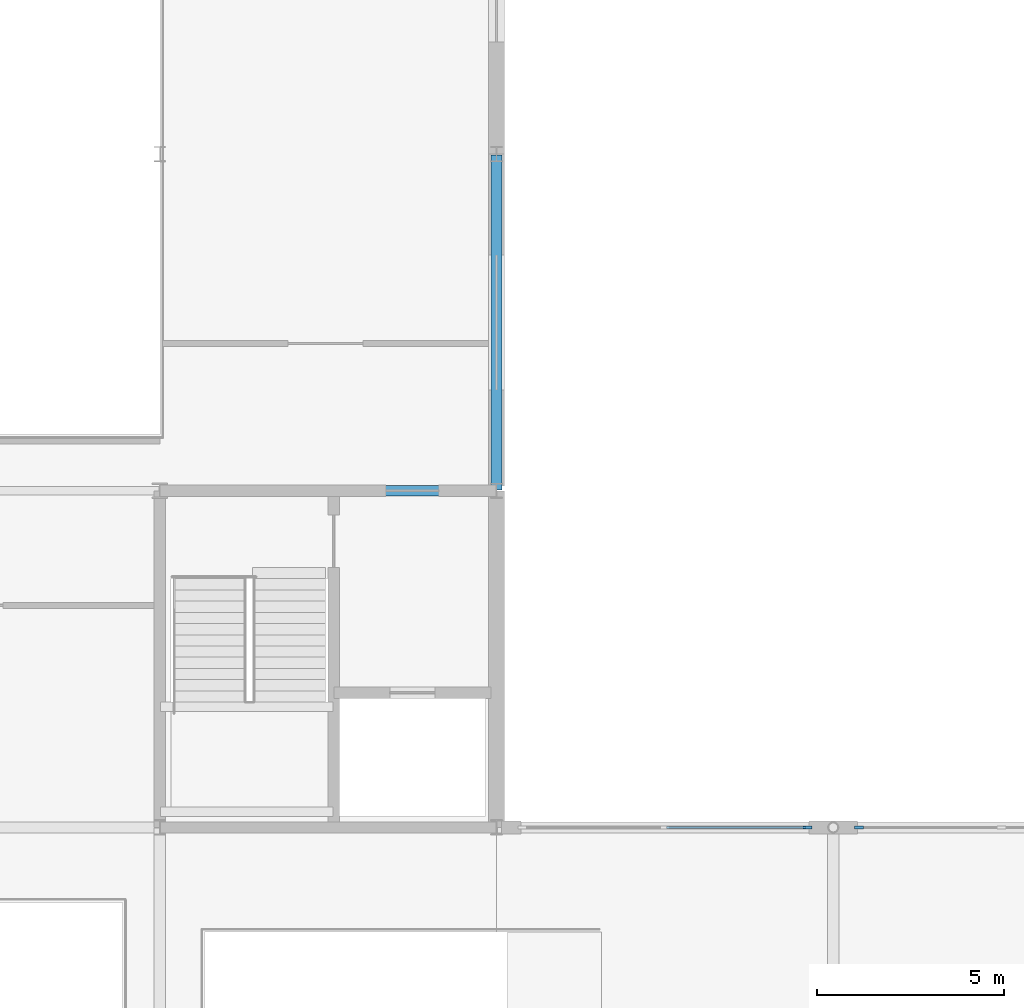
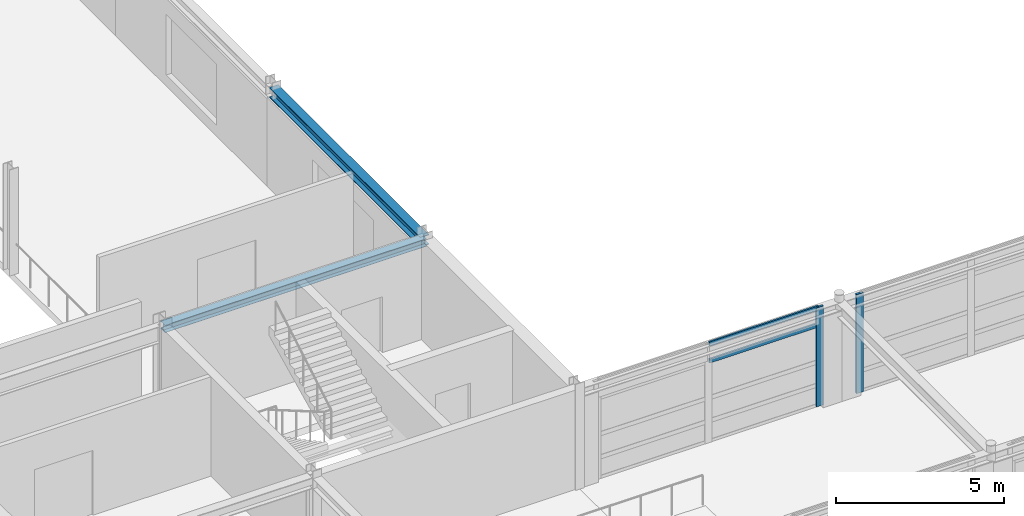
# One storey, part 34 of 79: 4 members, 2 beams, 2 elements without a shape of their own.
"""IFC4 building model written with IfcOpenShell, lengths in metres."""

from ifc_helpers import new_model, si_unit, direction, frame, origin, origin_2d, place, context, subcontext, project, spatial, rectangle, i_section, extrude, material, material_profile, profile_set, type_object, element, aggregate, save


model = new_model("IFC4")

# Units and contexts
model_context = context("Model", 3, precision=1e-05, world=origin(), true_north=direction((0.0, 1.0)))
body_context = subcontext(model_context, "Body", "Model", "MODEL_VIEW")
ifc_project = project(units=[si_unit("LENGTHUNIT", "METRE"), si_unit("AREAUNIT", "SQUARE_METRE"), si_unit("VOLUMEUNIT", "CUBIC_METRE"), si_unit("PLANEANGLEUNIT", "RADIAN"), si_unit("MASSUNIT", "GRAM", prefix="KILO")], contexts=[model_context])

# Site, building, storey
site_placement = place(None, origin())
site = spatial("IfcSite", under=ifc_project, at=site_placement, CompositionType="ELEMENT")
building_placement = place(site_placement, origin())
building = spatial("IfcBuilding", under=site, at=building_placement, Name="Palais des Congres Ocreval", CompositionType="ELEMENT")
storey_placement = place(building_placement, frame((0.0, 0.0, 4.320068359375)))
storey = spatial("IfcBuildingStorey", under=building, at=storey_placement, Name="L01", CompositionType="ELEMENT", Elevation=4.320068359375)

# Curtain wall, member
ifc_material_1 = material(Name="Anodized bronze aluminium and low-E glass", Category="glass")
curtain_wall_type = type_object("IfcCurtainWallType", Name="Unitised Curtain Wall 7900x3660", PredefinedType="USERDEFINED", material=ifc_material_1)
curtain_wall_1_placement = place(storey_placement, origin())
curtain_wall_1 = element("IfcCurtainWall", 1, at=curtain_wall_1_placement, inside=storey, type_object=curtain_wall_type, Name="Unitised Curtain Wall CW02 L01", ObjectType="UNITISED CURTAIN WALL", PredefinedType="USERDEFINED")
ifc_material_2 = material(Name="Anodized bronze aluminium", Category="aluminium")
ifc_material_profile_1 = material_profile(ifc_material_2, rectangle(XDim=0.074951171875, YDim=0.239990234375, at=origin_2d()), Name="ALU 75x240")
ifc_profile_set_1 = profile_set([ifc_material_profile_1], Name="Anodized bronze aluminium")
member_type_1 = type_object("IfcMemberType", Name="Curtain Wall Mullion ALU 75x240", PredefinedType="MULLION", material=ifc_profile_set_1)
member_1_placement = place(storey_placement, frame((62.3125, 81.0, 0.0), z_axis=(0.0, 0.0, 1.0), x_axis=(0.0, 1.0, 0.0)))
member_1 = element("IfcMember", 2, at=member_1_placement, type_object=member_type_1, Name="Curtain Wall Mullion ML01", PredefinedType="MULLION", context=body_context, shape_type="SweptSolid", body=[
    extrude(rectangle(XDim=0.074951171875, YDim=0.239990234375, at=origin_2d()), origin(), (0.0, 0.0, 1.0), 3.58984375),
])

curtain_wall_2_placement = place(storey_placement, origin())
curtain_wall_2 = element("IfcCurtainWall", 3, at=curtain_wall_2_placement, inside=storey, type_object=curtain_wall_type, Name="Unitised Curtain Wall CW02 L01", ObjectType="UNITISED CURTAIN WALL", PredefinedType="USERDEFINED")
member_2_placement = place(storey_placement, frame((63.6875, 81.0, 0.0), z_axis=(0.0, 0.0, 1.0), x_axis=(0.0, 1.0, 0.0)))
member_2 = element("IfcMember", 4, at=member_2_placement, type_object=member_type_1, Name="Curtain Wall Mullion ML01", PredefinedType="MULLION", context=body_context, shape_type="SweptSolid", body=[
    extrude(rectangle(XDim=0.074951171875, YDim=0.239990234375, at=origin_2d()), origin(), (0.0, 0.0, 1.0), 3.58984375),
])
aggregate(curtain_wall_2, [member_2])

# Member
ifc_material_profile_2 = material_profile(ifc_material_2, rectangle(XDim=0.06005859375, YDim=0.14990234375, at=origin_2d()), Name="ALU 60x150")
ifc_profile_set_2 = profile_set([ifc_material_profile_2], Name="Anodized bronze aluminium")
member_type_2 = type_object("IfcMemberType", Name="Curtain Wall Transom ALU 60x150", PredefinedType="USERDEFINED", material=ifc_profile_set_2)
member_3_placement = place(storey_placement, frame((58.53759765625, 81.0, 2.93994140625), z_axis=(1.0, 0.0, 0.0), x_axis=(0.0, 1.0, 0.0)))
member_3 = element("IfcMember", 5, at=member_3_placement, type_object=member_type_2, Name="Curtain Wall Transom TR01", ObjectType="TRANSOM", PredefinedType="USERDEFINED", context=body_context, shape_type="SweptSolid", body=[
    extrude(rectangle(XDim=0.06005859375, YDim=0.14990234375, at=origin_2d()), origin(), (0.0, 0.0, 1.0), 3.7373046875),
])

member_4_placement = place(storey_placement, frame((58.53759765625, 81.0, 3.559814453125), z_axis=(1.0, 0.0, 0.0), x_axis=(0.0, 1.0, 0.0)))
member_4 = element("IfcMember", 6, at=member_4_placement, type_object=member_type_2, Name="Curtain Wall Transom TR01", ObjectType="TRANSOM", PredefinedType="USERDEFINED", context=body_context, shape_type="SweptSolid", body=[
    extrude(rectangle(XDim=0.06005859375, YDim=0.14990234375, at=origin_2d()), origin(), (0.0, 0.0, 1.0), 3.7373046875),
])

aggregate(curtain_wall_1, [member_1, member_3, member_4])

# Beams
ifc_material_3 = material(Name="Steel S355", Category="steel")
ifc_material_profile_3 = material_profile(ifc_material_3, i_section(OverallWidth=0.300048828125, OverallDepth=0.360107421875, WebThickness=0.012451171875, FlangeThickness=0.0224609375, at=origin_2d()), Name="HEB 360")
ifc_profile_set_3 = profile_set([ifc_material_profile_3], Name="Steel S355")
beam_type_1 = type_object("IfcBeamType", Name="Perimeter Spandrel HEB 360 Steel S355", PredefinedType="SPANDREL", material=ifc_profile_set_3)
beam_1_placement = place(storey_placement, frame((54.0, 90.02001953125, 3.39990234375), z_axis=(0.0, 1.0, 0.0), x_axis=(-1.0, 0.0, 0.0)))
element("IfcBeam", 7, at=beam_1_placement, inside=storey, type_object=beam_type_1, Name="Girder SP03 L01", PredefinedType="SPANDREL", context=body_context, shape_type="SweptSolid", body=[
    extrude(i_section(OverallWidth=0.300048828125, OverallDepth=0.360107421875, WebThickness=0.012451171875, FlangeThickness=0.0224609375, at=origin_2d()), origin(), (0.0, 0.0, 1.0), 8.9599609375),
])
ifc_material_profile_4 = material_profile(ifc_material_3, i_section(OverallWidth=0.280029296875, OverallDepth=0.27001953125, WebThickness=0.008056640625, FlangeThickness=0.012939453125, at=origin_2d()), Name="HEA 280")
ifc_profile_set_4 = profile_set([ifc_material_profile_4], Name="Steel S355")
beam_type_2 = type_object("IfcBeamType", Name="Primary Beam HEA 280 Steel S355", PredefinedType="BEAM", material=ifc_profile_set_4)
beam_2_placement = place(storey_placement, frame((45.02001953125, 90.0, 3.44482421875), z_axis=(1.0, 0.0, 0.0), x_axis=(0.0, 1.0, 0.0)))
element("IfcBeam", 8, at=beam_2_placement, inside=storey, type_object=beam_type_2, Name="Beam B07 L01", PredefinedType="BEAM", context=body_context, shape_type="SweptSolid", body=[
    extrude(i_section(OverallWidth=0.280029296875, OverallDepth=0.27001953125, WebThickness=0.008056640625, FlangeThickness=0.012939453125, at=origin_2d()), origin(), (0.0, 0.0, 1.0), 8.9599609375),
])

save(model, "model.ifc")
